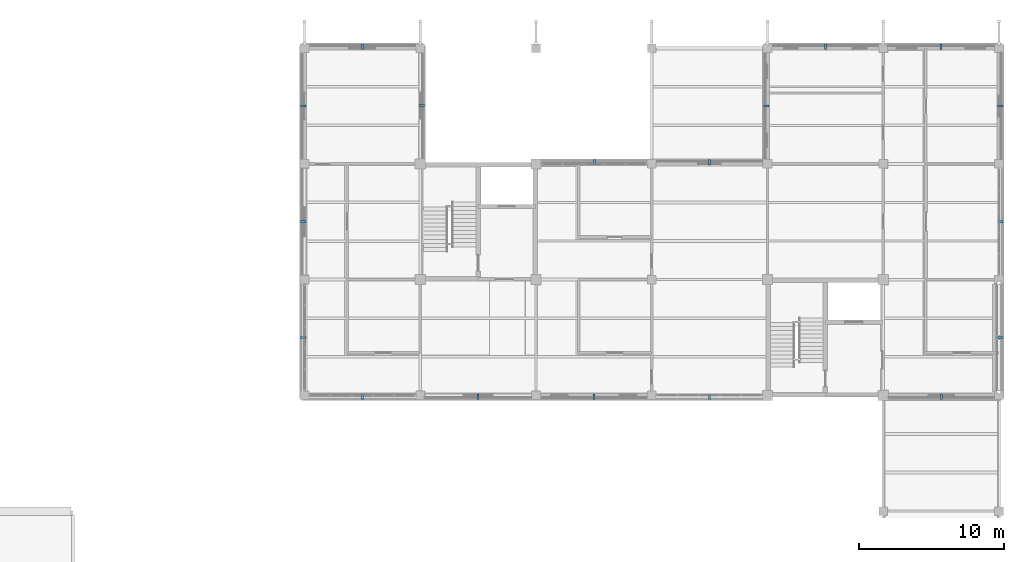
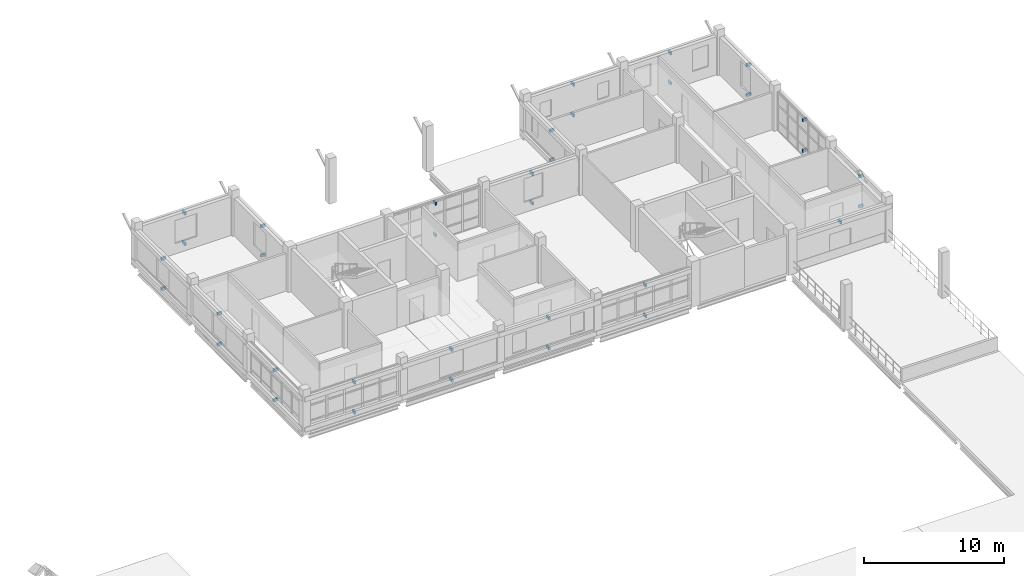
# One storey, part 31 of 35: 35 discrete accessories.
"""IFC4 building model written with IfcOpenShell, lengths in metres."""

from ifc_helpers import new_model, si_unit, derived_unit, direction, frame, origin, origin_2d, place, context, subcontext, project, spatial, rectangle, extrude, material, type_object, element, save


model = new_model("IFC4")

# Units and contexts
model_context = context("Model", 3, precision=1e-05, world=origin(), true_north=direction((0.0, 1.0)))
body_context = subcontext(model_context, "Body", "Model", "MODEL_VIEW")
ifc_project = project(units=[si_unit("LENGTHUNIT", "METRE"), si_unit("AREAUNIT", "SQUARE_METRE"), si_unit("VOLUMEUNIT", "CUBIC_METRE"), si_unit("PLANEANGLEUNIT", "RADIAN"), si_unit("MASSUNIT", "GRAM", prefix="KILO"), derived_unit("THERMALTRANSMITTANCEUNIT", [(si_unit("MASSUNIT", "GRAM", prefix="KILO"), 1), (si_unit("TIMEUNIT", "SECOND"), -3), (si_unit("THERMODYNAMICTEMPERATUREUNIT", "KELVIN"), -1)])], contexts=[model_context])

# Site, building, storey
site_placement = place(None, origin())
site = spatial("IfcSite", under=ifc_project, at=site_placement, CompositionType="ELEMENT")
building_placement = place(site_placement, origin())
building = spatial("IfcBuilding", under=site, at=building_placement, Name="Veyamyaing Civic Hall", CompositionType="ELEMENT")
storey_placement = place(building_placement, frame((0.0, 0.0, 21.780029296875)))
storey = spatial("IfcBuildingStorey", under=building, at=storey_placement, Name="L05", CompositionType="ELEMENT", Elevation=21.780029296875)

# Discrete accessories
ifc_material = material(Name="Steel S355J2", Category="steel")
discrete_accessory_type = type_object("IfcDiscreteAccessoryType", Name="BK-01", PredefinedType="BRACKET", material=ifc_material)
for number, where, z_axis, x_axis, name in (
    (1, (132.0, 87.89990234375, 2.96484375), (0.0, 0.0, 1.0), (0.0, -1.0, 0.0), "Sunshade anchor bracket BK-01 L05 S 17.12"),
    (2, (132.0, 87.89990234375, 0.35986328125), (0.0, 0.0, 1.0), (0.0, -1.0, 0.0), "Lower ribbon anchor bracket BK-01 L05 S 17.12"),
    (3, (127.89990234375, 92.0, 2.96484375), (0.0, 0.0, 1.0), (-1.0, 0.0, 0.0), "Sunshade anchor bracket BK-01 L05 W 17.12"),
    (4, (127.89990234375, 92.0, 0.35986328125), (0.0, 0.0, 1.0), (-1.0, 0.0, 0.0), "Lower ribbon anchor bracket BK-01 L05 W 17.12"),
    (5, (127.89990234375, 100.0, 3.02880859375), (0.0, 0.0, 1.0), (-1.0, 0.0, 0.0), "Sunshade anchor bracket BK-01 L05 W 17.13"),
    (6, (127.89990234375, 100.0, 0.35986328125), (0.0, 0.0, 1.0), (-1.0, 0.0, 0.0), "Lower ribbon anchor bracket BK-01 L05 W 17.13"),
    (7, (132.0, 112.10009765625, 3.03173828125), (0.0, 0.0, 1.0), (0.0, 1.0, 0.0), "Sunshade anchor bracket BK-01 L05 N 17.14"),
    (8, (132.0, 112.10009765625, 0.35986328125), (0.0, 0.0, 1.0), (0.0, 1.0, 0.0), "Lower ribbon anchor bracket BK-01 L05 N 17.14"),
    (9, (127.89990234375, 108.0, 2.96875), (0.0, 0.0, 1.0), (-1.0, 0.0, 0.0), "Sunshade anchor bracket BK-01 L05 W 17.14"),
    (10, (127.89990234375, 108.0, 0.35986328125), (0.0, 0.0, 1.0), (-1.0, 0.0, 0.0), "Lower ribbon anchor bracket BK-01 L05 W 17.14"),
    (11, (136.10009765625, 108.02490234375, 2.9189453125), (0.0, 0.0, 1.0), (1.0, 0.0, 0.0), "Sunshade anchor bracket BK-01 L05 E 17.14"),
    (12, (136.10009765625, 108.02490234375, 0.35986328125), (0.0, 0.0, 1.0), (1.0, 0.0, 0.0), "Lower ribbon anchor bracket BK-01 L05 E 17.14"),
    (13, (140.0, 87.89990234375, 3.02880859375), (0.0, 0.0, 1.0), (0.0, -1.0, 0.0), "Sunshade anchor bracket BK-01 L05 S 18.12"),
    (14, (140.0, 87.89990234375, 0.35986328125), (0.0, 0.0, 1.0), (0.0, -1.0, 0.0), "Lower ribbon anchor bracket BK-01 L05 S 18.12"),
    (15, (148.0, 87.89990234375, 2.96875), (0.0, 0.0, 1.0), (0.0, -1.0, 0.0), "Sunshade anchor bracket BK-01 L05 S 19.12"),
    (16, (148.0, 87.89990234375, 0.35986328125), (0.0, 0.0, 1.0), (0.0, -1.0, 0.0), "Lower ribbon anchor bracket BK-01 L05 S 19.12"),
    (17, (148.02490234375, 104.10009765625, 3.12890625), (0.0, 0.0, 1.0), (0.0, 1.0, 0.0), "Sunshade anchor bracket BK-01 L05 N 19.13"),
    (18, (148.02490234375, 104.10009765625, 0.35986328125), (0.0, 0.0, 1.0), (0.0, 1.0, 0.0), "Lower ribbon anchor bracket BK-01 L05 N 19.13"),
    (19, (155.97509765625, 87.89990234375, 3.03173828125), (0.0, 0.0, 1.0), (0.0, -1.0, 0.0), "Sunshade anchor bracket BK-01 L05 S 20.12"),
    (20, (155.97509765625, 87.89990234375, 0.35986328125), (0.0, 0.0, 1.0), (0.0, -1.0, 0.0), "Lower ribbon anchor bracket BK-01 L05 S 20.12"),
    (21, (156.0, 104.10009765625, 2.923828125), (0.0, 0.0, 1.0), (0.0, 1.0, 0.0), "Sunshade anchor bracket BK-01 L05 N 20.13"),
    (22, (156.0, 104.10009765625, 0.35986328125), (0.0, 0.0, 1.0), (0.0, 1.0, 0.0), "Lower ribbon anchor bracket BK-01 L05 N 20.13"),
    (23, (164.0, 112.10009765625, 3.03173828125), (0.0, 0.0, 1.0), (0.0, 1.0, 0.0), "Sunshade anchor bracket BK-01 L05 N 21.14"),
    (24, (164.0, 112.10009765625, 0.35986328125), (0.0, 0.0, 1.0), (0.0, 1.0, 0.0), "Lower ribbon anchor bracket BK-01 L05 N 21.14"),
    (25, (159.89990234375, 108.0, 2.9189453125), (0.0, 0.0, 1.0), (-1.0, 0.0, 0.0), "Sunshade anchor bracket BK-01 L05 W 21.14"),
    (26, (159.89990234375, 108.0, 0.35986328125), (0.0, 0.0, 1.0), (-1.0, 0.0, 0.0), "Lower ribbon anchor bracket BK-01 L05 W 21.14"),
    (27, (172.02490234375, 87.89990234375, 2.9189453125), (0.0, 0.0, 1.0), (0.0, -1.0, 0.0), "Sunshade anchor bracket BK-01 L05 S 22.12"),
    (28, (176.10009765625, 92.0, 2.96875), (0.0, 0.0, 1.0), (1.0, 0.0, 0.0), "Sunshade anchor bracket BK-01 L05 E 22.12"),
    (29, (176.10009765625, 92.0, 0.35986328125), (0.0, 0.0, 1.0), (1.0, 0.0, 0.0), "Lower ribbon anchor bracket BK-01 L05 E 22.12"),
    (30, (176.10009765625, 100.0, 3.03173828125), (0.0, 0.0, 1.0), (1.0, 0.0, 0.0), "Sunshade anchor bracket BK-01 L05 E 22.13"),
    (31, (176.10009765625, 100.0, 0.35986328125), (0.0, 0.0, 1.0), (1.0, 0.0, 0.0), "Lower ribbon anchor bracket BK-01 L05 E 22.13"),
    (32, (172.0, 112.10009765625, 2.96484375), (0.0, 0.0, 1.0), (0.0, 1.0, 0.0), "Sunshade anchor bracket BK-01 L05 N 22.14"),
    (33, (172.0, 112.10009765625, 0.35986328125), (0.0, 0.0, 1.0), (0.0, 1.0, 0.0), "Lower ribbon anchor bracket BK-01 L05 N 22.14"),
    (34, (176.10009765625, 108.0, 2.96484375), (0.0, 0.0, 1.0), (1.0, 0.0, 0.0), "Sunshade anchor bracket BK-01 L05 E 22.14"),
    (35, (176.10009765625, 108.0, 0.35986328125), (0.0, 0.0, 1.0), (1.0, 0.0, 0.0), "Lower ribbon anchor bracket BK-01 L05 E 22.14"),
):
    element("IfcDiscreteAccessory", number, at=place(storey_placement, frame(where, z_axis=z_axis, x_axis=x_axis)), inside=storey, type_object=discrete_accessory_type, Name=name, PredefinedType="BRACKET", context=body_context, shape_type="SweptSolid", body=[
        extrude(rectangle(XDim=0.3798828125, YDim=0.139892578125, at=origin_2d()), origin(), (0.0, 0.0, 1.0), 0.239990234375),
    ])

save(model, "model.ifc")
